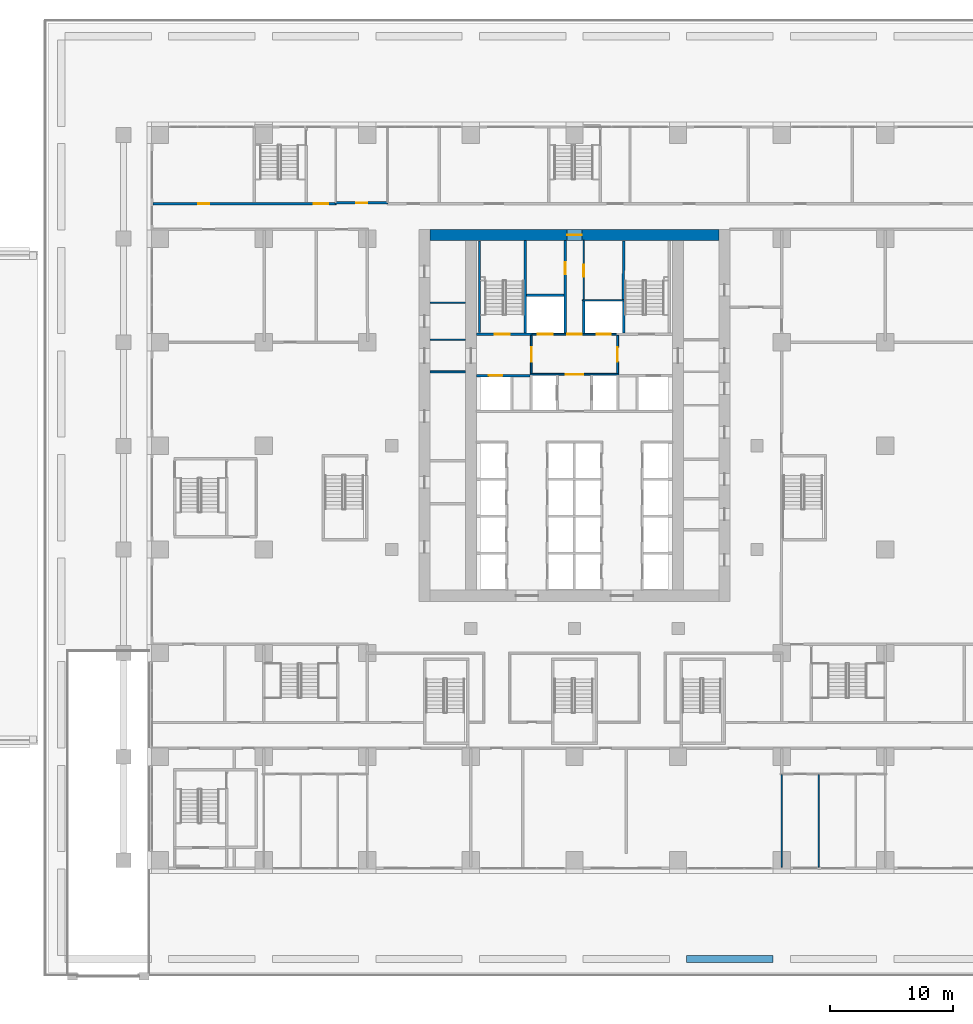
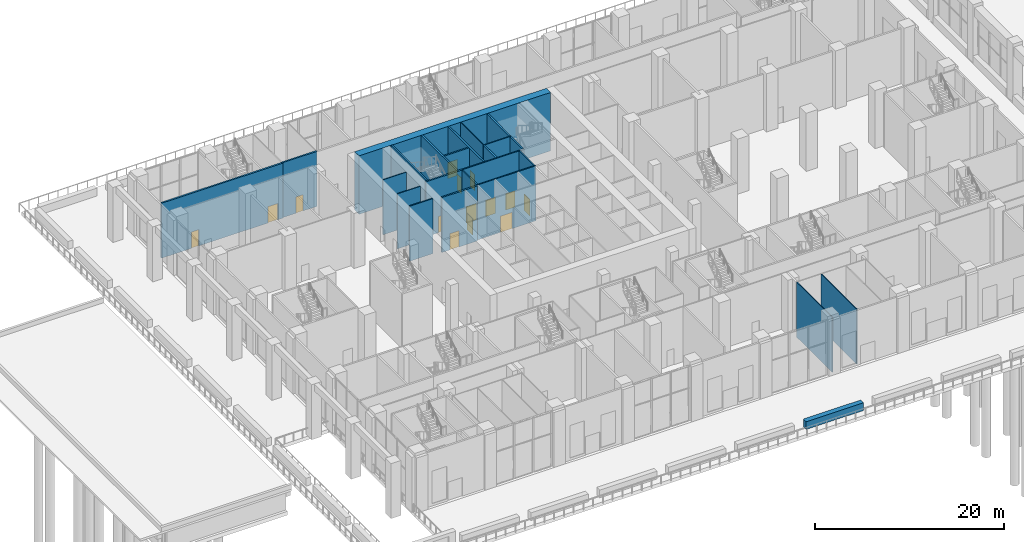
# One storey, part 25 of 53: 24 walls, 14 doors, 14 openings.
"""IFC4 building model written with IfcOpenShell, lengths in metres."""

from ifc_helpers import new_model, si_unit, direction, frame, frame_2d, origin, place, context, subcontext, project, spatial, rectangle, extrude, material, layer, layer_set, type_object, element, fill, save


model = new_model("IFC4")

# Units and contexts
model_context = context("Model", 3, precision=1e-05, world=origin(), true_north=direction((0.0, 1.0)))
body_context = subcontext(model_context, "Body", "Model", "MODEL_VIEW")
ifc_project = project(units=[si_unit("LENGTHUNIT", "METRE"), si_unit("AREAUNIT", "SQUARE_METRE"), si_unit("VOLUMEUNIT", "CUBIC_METRE"), si_unit("PLANEANGLEUNIT", "RADIAN"), si_unit("MASSUNIT", "GRAM", prefix="KILO")], contexts=[model_context])

# Site, building, storey
site_placement = place(None, origin())
site = spatial("IfcSite", under=ifc_project, at=site_placement, CompositionType="ELEMENT")
building_placement = place(site_placement, origin())
building = spatial("IfcBuilding", under=site, at=building_placement, Name="Vermilion Ogive Tower", CompositionType="ELEMENT")
storey_placement = place(building_placement, origin())
storey = spatial("IfcBuildingStorey", under=building, at=storey_placement, Name="L00", CompositionType="ELEMENT", Elevation=0.0)

# Walls
ifc_material_1 = material(Name="Gypsum board partition on steel studs", Category="steel")
ifc_layer_1 = layer(ifc_material_1, 0.10009765625)
ifc_layer_set_1 = layer_set([ifc_layer_1], Name="Partition 100 bath")
wall_type_1 = type_object("IfcWallType", Name="Partition 100 bath", PredefinedType="PARTITIONING", material=ifc_layer_set_1)
for number, where, z_axis, x_axis, name in (
    (1, (16.800048828125, -29.949951171875, 0.0), (0.0, 0.0, 1.0), (0.0, 1.0, 0.0), "L00-FS-W-W088"),
    (2, (19.800048828125, -29.949951171875, 0.0), (0.0, 0.0, 1.0), (0.0, 1.0, 0.0), "L00-FS-W-W094"),
):
    element("IfcWall", number, at=place(storey_placement, frame(where, z_axis=z_axis, x_axis=x_axis)), inside=storey, type_object=wall_type_1, Name=name, PredefinedType="PARTITIONING", context=body_context, shape_type="SweptSolid", body=[
        extrude(rectangle(XDim=7.5, YDim=0.10009765625, at=frame_2d((3.75, 0.0))), origin(), (0.0, 0.0, 1.0), 7.10009765625),
    ])
wall_1_placement = place(storey_placement, frame((0.64990234375, 16.0, 0.0), z_axis=(0.0, 0.0, 1.0), x_axis=(1.0, 0.0, 0.0)))
element("IfcWall", 3, at=wall_1_placement, inside=storey, type_object=wall_type_1, Name="L00-CK-W-W020", PredefinedType="PARTITIONING", context=body_context, shape_type="SweptSolid", body=[
    extrude(rectangle(XDim=3.4501953125, YDim=0.10009765625, at=frame_2d((1.72509765625, 0.0))), origin(), (0.0, 0.0, 1.0), 7.10009765625),
])

# Wall, opening, door
wall_2_placement = place(storey_placement, frame((0.75, 16.050048828125, 0.0), z_axis=(0.0, 0.0, 1.0), x_axis=(0.0, 1.0, 0.0)))
wall_2 = element("IfcWall", 4, at=wall_2_placement, inside=storey, type_object=wall_type_1, Name="L00-CK-W-W032", PredefinedType="PARTITIONING", context=body_context, shape_type="SweptSolid", body=[
    extrude(rectangle(XDim=4.799072265625, YDim=0.10009765625, at=frame_2d((2.3994140625, 0.0))), origin(), (0.0, 0.0, 1.0), 7.10009765625),
])
opening_1_placement = place(wall_2_placement, frame((1.875, 0.0, 0.0)))
opening_1 = element("IfcOpeningElement", 5, at=opening_1_placement, cuts=wall_2, Name="Opening DAB007", PredefinedType="OPENING", context=body_context, shape_type="SweptSolid", body=[
    extrude(rectangle(XDim=0.949951171875, YDim=2.10009765625, at=frame_2d((0.47509765625, 1.050048828125))), frame((0.0, 0.06005859375, 0.0), z_axis=(0.0, -1.0, 0.0), x_axis=(1.0, 0.0, 0.0)), (0.0, 0.0, 1.0), 0.1201171875),
])
ifc_material_2 = material(Name="Timber door leaf", Category="wood")
door_type_1 = type_object("IfcDoorType", Name="Service door 950 x 2100 FD60", OperationType="SINGLE_SWING_LEFT", PredefinedType="DOOR", material=ifc_material_2)
door_1_placement = place(opening_1_placement, origin())
door_1 = element("IfcDoor", 6, at=door_1_placement, inside=storey, type_object=door_type_1, Name="L00-CK-D-D029", OperationType="SINGLE_SWING_LEFT", OverallHeight=2.10009765625, OverallWidth=0.949951171875, PredefinedType="DOOR", context=body_context, shape_type="SweptSolid", body=[
    extrude(rectangle(XDim=0.949951171875, YDim=2.10009765625, at=frame_2d((0.47509765625, 1.050048828125))), frame((0.0, 0.02490234375, 0.0), z_axis=(0.0, -1.0, 0.0), x_axis=(1.0, 0.0, 0.0)), (0.0, 0.0, 1.0), 0.050048828125),
])
fill(opening_1, door_1)

# Walls
for number, where, z_axis, x_axis, name in (
    (7, (-11.698974609375, 12.800048828125, 0.0), (0.0, 0.0, 1.0), (1.0, 0.0, 0.0), "L00-CKW-W-W004"),
    (8, (-11.698974609375, 15.800048828125, 0.0), (0.0, 0.0, 1.0), (1.0, 0.0, 0.0), "L00-CKW-W-W005"),
):
    element("IfcWall", number, at=place(storey_placement, frame(where, z_axis=z_axis, x_axis=x_axis)), inside=storey, type_object=wall_type_1, Name=name, PredefinedType="PARTITIONING", context=body_context, shape_type="SweptSolid", body=[
        extrude(rectangle(XDim=2.847900390625, YDim=0.10009765625, at=frame_2d((1.423828125, 0.0))), origin(), (0.0, 0.0, 1.0), 7.10009765625),
    ])

# Wall, opening, door
ifc_material_3 = material(Name="Gypsum board partition on steel studs", Category="steel")
ifc_layer_2 = layer(ifc_material_3, 0.14990234375)
ifc_layer_set_2 = layer_set([ifc_layer_2], Name="Partition 150 corridor")
wall_type_2 = type_object("IfcWallType", Name="Partition 150 corridor", PredefinedType="PARTITIONING", material=ifc_layer_set_2)
wall_3_placement = place(storey_placement, frame((-3.60009765625, 10.0, 0.0), z_axis=(0.0, 0.0, 1.0), x_axis=(1.0, 0.0, 0.0)))
wall_3 = element("IfcWall", 9, at=wall_3_placement, inside=storey, type_object=wall_type_2, Name="L00-CK-W-W016", PredefinedType="PARTITIONING", context=body_context, shape_type="SweptSolid", body=[
    extrude(rectangle(XDim=7.2001953125, YDim=0.14990234375, at=frame_2d((3.60009765625, 0.0))), origin(), (0.0, 0.0, 1.0), 7.10009765625),
])
opening_2_placement = place(wall_3_placement, frame((2.900146484375, 0.0, 0.0)))
opening_2 = element("IfcOpeningElement", 10, at=opening_2_placement, cuts=wall_3, Name="Opening DAB004", PredefinedType="OPENING", context=body_context, shape_type="SweptSolid", body=[
    extrude(rectangle(XDim=1.39990234375, YDim=2.10009765625, at=frame_2d((0.699951171875, 1.050048828125))), frame((0.0, 0.0849609375, 0.0), z_axis=(0.0, -1.0, 0.0), x_axis=(1.0, 0.0, 0.0)), (0.0, 0.0, 1.0), 0.169921875),
])
ifc_material_4 = material(Name="Timber door leaf", Category="wood")
door_type_2 = type_object("IfcDoorType", Name="Lobby door 1400 x 2100 FD60S", OperationType="SINGLE_SWING_LEFT", PredefinedType="DOOR", material=ifc_material_4)
door_2_placement = place(opening_2_placement, origin())
door_2 = element("IfcDoor", 11, at=door_2_placement, inside=storey, type_object=door_type_2, Name="L00-CK-D-D022", OperationType="SINGLE_SWING_RIGHT", OverallHeight=2.10009765625, OverallWidth=1.39990234375, PredefinedType="DOOR", context=body_context, shape_type="SweptSolid", body=[
    extrude(rectangle(XDim=1.39990234375, YDim=2.10009765625, at=frame_2d((0.699951171875, 1.050048828125))), frame((0.0, 0.02490234375, 0.0), z_axis=(0.0, -1.0, 0.0), x_axis=(1.0, 0.0, 0.0)), (0.0, 0.0, 1.0), 0.050048828125),
])
fill(opening_2, door_2)

# Wall, openings, doors
wall_4_placement = place(storey_placement, frame((-3.574951171875, 13.25, 0.0), z_axis=(0.0, 0.0, 1.0), x_axis=(1.0, 0.0, 0.0)))
wall_4 = element("IfcWall", 12, at=wall_4_placement, inside=storey, type_object=wall_type_2, Name="L00-CK-W-W018", PredefinedType="PARTITIONING", context=body_context, shape_type="SweptSolid", body=[
    extrude(rectangle(XDim=7.14990234375, YDim=0.14990234375, at=frame_2d((3.574951171875, 0.0))), origin(), (0.0, 0.0, 1.0), 7.10009765625),
])
opening_3_placement = place(wall_4_placement, frame((0.599853515625, 0.0, 0.0)))
opening_3 = element("IfcOpeningElement", 13, at=opening_3_placement, cuts=wall_4, Name="Opening DAB031", PredefinedType="OPENING", context=body_context, shape_type="SweptSolid", body=[
    extrude(rectangle(XDim=1.199951171875, YDim=2.10009765625, at=frame_2d((0.60009765625, 1.050048828125))), frame((0.0, 0.0849609375, 0.0), z_axis=(0.0, -1.0, 0.0), x_axis=(1.0, 0.0, 0.0)), (0.0, 0.0, 1.0), 0.169921875),
])
opening_4_placement = place(wall_4_placement, frame((5.39990234375, 0.0, 0.0)))
opening_4 = element("IfcOpeningElement", 14, at=opening_4_placement, cuts=wall_4, Name="Opening DAB023", PredefinedType="OPENING", context=body_context, shape_type="SweptSolid", body=[
    extrude(rectangle(XDim=1.10009765625, YDim=2.10009765625, at=frame_2d((0.550048828125, 1.050048828125))), frame((0.0, 0.0849609375, 0.0), z_axis=(0.0, -1.0, 0.0), x_axis=(1.0, 0.0, 0.0)), (0.0, 0.0, 1.0), 0.169921875),
])
opening_5_placement = place(wall_4_placement, frame((2.974853515625, 0.0, 0.0)))
opening_5 = element("IfcOpeningElement", 15, at=opening_5_placement, cuts=wall_4, Name="Opening DAB005", PredefinedType="OPENING", context=body_context, shape_type="SweptSolid", body=[
    extrude(rectangle(XDim=1.199951171875, YDim=2.10009765625, at=frame_2d((0.60009765625, 1.050048828125))), frame((0.0, 0.0849609375, 0.0), z_axis=(0.0, -1.0, 0.0), x_axis=(1.0, 0.0, 0.0)), (0.0, 0.0, 1.0), 0.169921875),
])
ifc_material_5 = material(Name="Stainless steel", Category="steel")
door_type_3 = type_object("IfcDoorType", Name="Lift landing door 1100 x 2100", OperationType="SLIDING_TO_LEFT", PredefinedType="DOOR", material=ifc_material_5)
door_3_placement = place(opening_4_placement, origin())
door_3 = element("IfcDoor", 16, at=door_3_placement, inside=storey, type_object=door_type_3, Name="L00-CK-D-D026", OperationType="SLIDING_TO_LEFT", OverallHeight=2.10009765625, OverallWidth=1.10009765625, PredefinedType="DOOR", context=body_context, shape_type="SweptSolid", body=[
    extrude(rectangle(XDim=1.10009765625, YDim=2.10009765625, at=frame_2d((0.550048828125, 1.050048828125))), frame((0.0, 0.02490234375, 0.0), z_axis=(0.0, -1.0, 0.0), x_axis=(1.0, 0.0, 0.0)), (0.0, 0.0, 1.0), 0.050048828125),
])
fill(opening_4, door_3)
ifc_material_6 = material(Name="Stainless steel", Category="steel")
door_type_4 = type_object("IfcDoorType", Name="Lift landing door 1200 x 2100", OperationType="SLIDING_TO_LEFT", PredefinedType="DOOR", material=ifc_material_6)
door_4_placement = place(opening_3_placement, origin())
door_4 = element("IfcDoor", 17, at=door_4_placement, inside=storey, type_object=door_type_4, Name="L00-CK-D-D025", OperationType="SLIDING_TO_RIGHT", OverallHeight=2.10009765625, OverallWidth=1.199951171875, PredefinedType="DOOR", context=body_context, shape_type="SweptSolid", body=[
    extrude(rectangle(XDim=1.199951171875, YDim=2.10009765625, at=frame_2d((0.60009765625, 1.050048828125))), frame((0.0, 0.02490234375, 0.0), z_axis=(0.0, -1.0, 0.0), x_axis=(1.0, 0.0, 0.0)), (0.0, 0.0, 1.0), 0.050048828125),
])
fill(opening_3, door_4)
ifc_material_7 = material(Name="Timber door leaf", Category="wood")
door_type_5 = type_object("IfcDoorType", Name="Service door 1200 x 2100 FD60", OperationType="SINGLE_SWING_LEFT", PredefinedType="DOOR", material=ifc_material_7)
door_5_placement = place(opening_5_placement, origin())
door_5 = element("IfcDoor", 18, at=door_5_placement, inside=storey, type_object=door_type_5, Name="L00-CK-D-D027", OperationType="SINGLE_SWING_RIGHT", OverallHeight=2.10009765625, OverallWidth=1.199951171875, PredefinedType="DOOR", context=body_context, shape_type="SweptSolid", body=[
    extrude(rectangle(XDim=1.199951171875, YDim=2.10009765625, at=frame_2d((0.60009765625, 1.050048828125))), frame((0.0, 0.02490234375, 0.0), z_axis=(0.0, -1.0, 0.0), x_axis=(1.0, 0.0, 0.0)), (0.0, 0.0, 1.0), 0.050048828125),
])
fill(opening_5, door_5)

# Wall, opening, door
wall_5_placement = place(storey_placement, frame((-3.5, 10.074951171875, 0.0), z_axis=(0.0, 0.0, 1.0), x_axis=(0.0, 1.0, 0.0)))
wall_5 = element("IfcWall", 19, at=wall_5_placement, inside=storey, type_object=wall_type_2, Name="L00-CK-W-W026", PredefinedType="PARTITIONING", context=body_context, shape_type="SweptSolid", body=[
    extrude(rectangle(XDim=3.074951171875, YDim=0.14990234375, at=frame_2d((1.53759765625, 0.0))), origin(), (0.0, 0.0, 1.0), 7.10009765625),
])
opening_6_placement = place(wall_5_placement, frame((0.925048828125, 0.0, 0.0)))
opening_6 = element("IfcOpeningElement", 20, at=opening_6_placement, cuts=wall_5, Name="Opening DAB001", PredefinedType="OPENING", context=body_context, shape_type="SweptSolid", body=[
    extrude(rectangle(XDim=1.199951171875, YDim=2.10009765625, at=frame_2d((0.60009765625, 1.050048828125))), frame((0.0, 0.0849609375, 0.0), z_axis=(0.0, -1.0, 0.0), x_axis=(1.0, 0.0, 0.0)), (0.0, 0.0, 1.0), 0.169921875),
])
ifc_material_8 = material(Name="Timber door leaf", Category="wood")
door_type_6 = type_object("IfcDoorType", Name="Lobby door 1200 x 2100 FD60S", OperationType="SINGLE_SWING_LEFT", PredefinedType="DOOR", material=ifc_material_8)
door_6_placement = place(opening_6_placement, origin())
door_6 = element("IfcDoor", 21, at=door_6_placement, inside=storey, type_object=door_type_6, Name="L00-CK-D-D030", OperationType="SINGLE_SWING_RIGHT", OverallHeight=2.10009765625, OverallWidth=1.199951171875, PredefinedType="DOOR", context=body_context, shape_type="SweptSolid", body=[
    extrude(rectangle(XDim=1.199951171875, YDim=2.10009765625, at=frame_2d((0.60009765625, 1.050048828125))), frame((0.0, 0.02490234375, 0.0), z_axis=(0.0, -1.0, 0.0), x_axis=(1.0, 0.0, 0.0)), (0.0, 0.0, 1.0), 0.050048828125),
])
fill(opening_6, door_6)

wall_6_placement = place(storey_placement, frame((3.5, 10.074951171875, 0.0), z_axis=(0.0, 0.0, 1.0), x_axis=(0.0, 1.0, 0.0)))
wall_6 = element("IfcWall", 22, at=wall_6_placement, inside=storey, type_object=wall_type_2, Name="L00-CK-W-W036", PredefinedType="PARTITIONING", context=body_context, shape_type="SweptSolid", body=[
    extrude(rectangle(XDim=3.074951171875, YDim=0.14990234375, at=frame_2d((1.53759765625, 0.0))), origin(), (0.0, 0.0, 1.0), 7.10009765625),
])
opening_7_placement = place(wall_6_placement, frame((0.925048828125, 0.0, 0.0)))
opening_7 = element("IfcOpeningElement", 23, at=opening_7_placement, cuts=wall_6, Name="Opening DAB002", PredefinedType="OPENING", context=body_context, shape_type="SweptSolid", body=[
    extrude(rectangle(XDim=1.199951171875, YDim=2.10009765625, at=frame_2d((0.60009765625, 1.050048828125))), frame((0.0, 0.0849609375, 0.0), z_axis=(0.0, -1.0, 0.0), x_axis=(1.0, 0.0, 0.0)), (0.0, 0.0, 1.0), 0.169921875),
])
door_7_placement = place(opening_7_placement, origin())
door_7 = element("IfcDoor", 24, at=door_7_placement, inside=storey, type_object=door_type_6, Name="L00-CK-D-D031", OperationType="SINGLE_SWING_LEFT", OverallHeight=2.10009765625, OverallWidth=1.199951171875, PredefinedType="DOOR", context=body_context, shape_type="SweptSolid", body=[
    extrude(rectangle(XDim=1.199951171875, YDim=2.10009765625, at=frame_2d((0.60009765625, 1.050048828125))), frame((0.0, 0.02490234375, 0.0), z_axis=(0.0, -1.0, 0.0), x_axis=(1.0, 0.0, 0.0)), (0.0, 0.0, 1.0), 0.050048828125),
])
fill(opening_7, door_7)

# Wall
wall_7_placement = place(storey_placement, frame((-11.698974609375, 10.199951171875, 0.0), z_axis=(0.0, 0.0, 1.0), x_axis=(1.0, 0.0, 0.0)))
element("IfcWall", 25, at=wall_7_placement, inside=storey, type_object=wall_type_2, Name="L00-CKW-W-W003", PredefinedType="PARTITIONING", context=body_context, shape_type="SweptSolid", body=[
    extrude(rectangle(XDim=2.847900390625, YDim=0.14990234375, at=frame_2d((1.423828125, 0.0))), origin(), (0.0, 0.0, 1.0), 7.10009765625),
])

# Wall, opening, door
ifc_material_9 = material(Name="Gypsum board partition on steel studs", Category="steel")
ifc_layer_3 = layer(ifc_material_9, 0.199951171875)
ifc_layer_set_3 = layer_set([ifc_layer_3], Name="Partition 200 party")
wall_type_3 = type_object("IfcWallType", Name="Partition 200 party", PredefinedType="PARTITIONING", material=ifc_layer_set_3)
wall_8_placement = place(storey_placement, frame((-7.948974609375, 9.89990234375, 0.0), z_axis=(0.0, 0.0, 1.0), x_axis=(1.0, 0.0, 0.0)))
wall_8 = element("IfcWall", 26, at=wall_8_placement, inside=storey, type_object=wall_type_3, Name="L00-CK-W-W014", PredefinedType="PARTITIONING", context=body_context, shape_type="SweptSolid", body=[
    extrude(rectangle(XDim=4.348876953125, YDim=0.199951171875, at=frame_2d((2.17431640625, 0.0))), origin(), (0.0, 0.0, 1.0), 7.10009765625),
])
opening_8_placement = place(wall_8_placement, frame((0.9990234375, 0.0, 0.0)))
opening_8 = element("IfcOpeningElement", 27, at=opening_8_placement, cuts=wall_8, Name="Opening DAB018", PredefinedType="OPENING", context=body_context, shape_type="SweptSolid", body=[
    extrude(rectangle(XDim=1.10009765625, YDim=2.10009765625, at=frame_2d((0.550048828125, 1.050048828125))), frame((0.0, 0.10986328125, 0.0), z_axis=(0.0, -1.0, 0.0), x_axis=(1.0, 0.0, 0.0)), (0.0, 0.0, 1.0), 0.219970703125),
])
door_8_placement = place(opening_8_placement, origin())
door_8 = element("IfcDoor", 28, at=door_8_placement, inside=storey, type_object=door_type_3, Name="L00-CK-D-D018", OperationType="SLIDING_TO_RIGHT", OverallHeight=2.10009765625, OverallWidth=1.10009765625, PredefinedType="DOOR", context=body_context, shape_type="SweptSolid", body=[
    extrude(rectangle(XDim=1.10009765625, YDim=2.10009765625, at=frame_2d((0.550048828125, 1.050048828125))), frame((0.0, 0.02490234375, 0.0), z_axis=(0.0, -1.0, 0.0), x_axis=(1.0, 0.0, 0.0)), (0.0, 0.0, 1.0), 0.050048828125),
])
fill(opening_8, door_8)

# Wall
wall_9_placement = place(storey_placement, frame((-3.89990234375, 16.39990234375, 0.0), z_axis=(0.0, 0.0, 1.0), x_axis=(1.0, 0.0, 0.0)))
element("IfcWall", 29, at=wall_9_placement, inside=storey, type_object=wall_type_3, Name="L00-CK-W-W021", PredefinedType="PARTITIONING", context=body_context, shape_type="SweptSolid", body=[
    extrude(rectangle(XDim=3.0498046875, YDim=0.199951171875, at=frame_2d((1.52490234375, 0.0))), origin(), (0.0, 0.0, 1.0), 7.10009765625),
])

# Wall, opening, door
wall_10_placement = place(storey_placement, frame((-0.75, 13.324951171875, 0.0), z_axis=(0.0, 0.0, 1.0), x_axis=(0.0, 1.0, 0.0)))
wall_10 = element("IfcWall", 30, at=wall_10_placement, inside=storey, type_object=wall_type_3, Name="L00-CK-W-W029", PredefinedType="PARTITIONING", context=body_context, shape_type="SweptSolid", body=[
    extrude(rectangle(XDim=7.524169921875, YDim=0.199951171875, at=frame_2d((3.76220703125, 0.0))), origin(), (0.0, 0.0, 1.0), 7.10009765625),
])
opening_9_placement = place(wall_10_placement, frame((4.800048828125, 0.0, 0.0)))
opening_9 = element("IfcOpeningElement", 31, at=opening_9_placement, cuts=wall_10, Name="Opening DAB006", PredefinedType="OPENING", context=body_context, shape_type="SweptSolid", body=[
    extrude(rectangle(XDim=0.949951171875, YDim=2.10009765625, at=frame_2d((0.47509765625, 1.050048828125))), frame((0.0, 0.10986328125, 0.0), z_axis=(0.0, -1.0, 0.0), x_axis=(1.0, 0.0, 0.0)), (0.0, 0.0, 1.0), 0.219970703125),
])
door_9_placement = place(opening_9_placement, origin())
door_9 = element("IfcDoor", 32, at=door_9_placement, inside=storey, type_object=door_type_1, Name="L00-CK-D-D028", OperationType="SINGLE_SWING_RIGHT", OverallHeight=2.10009765625, OverallWidth=0.949951171875, PredefinedType="DOOR", context=body_context, shape_type="SweptSolid", body=[
    extrude(rectangle(XDim=0.949951171875, YDim=2.10009765625, at=frame_2d((0.47509765625, 1.050048828125))), frame((0.0, 0.02490234375, 0.0), z_axis=(0.0, -1.0, 0.0), x_axis=(1.0, 0.0, 0.0)), (0.0, 0.0, 1.0), 0.050048828125),
])
fill(opening_9, door_9)

# Wall
wall_11_placement = place(storey_placement, frame((0.75, 13.324951171875, 0.0), z_axis=(0.0, 0.0, 1.0), x_axis=(0.0, 1.0, 0.0)))
element("IfcWall", 33, at=wall_11_placement, inside=storey, type_object=wall_type_3, Name="L00-CK-W-W031", PredefinedType="PARTITIONING", context=body_context, shape_type="SweptSolid", body=[
    extrude(rectangle(XDim=2.625, YDim=0.199951171875, at=frame_2d((1.3125, 0.0))), origin(), (0.0, 0.0, 1.0), 7.10009765625),
])

# Wall, opening, door
ifc_material_10 = material(Name="Concrete B60", Category="concrete")
ifc_layer_4 = layer(ifc_material_10, 0.199951171875)
ifc_layer_set_4 = layer_set([ifc_layer_4], Name="Stair shaft wall 200 Concrete B60")
wall_type_4 = type_object("IfcWallType", Name="Stair shaft wall 200 Concrete B60", PredefinedType="SOLIDWALL", material=ifc_layer_set_4)
wall_12_placement = place(storey_placement, frame((-11.699951171875, 21.300048828125, -0.449951171875), z_axis=(0.0, 0.0, 1.0), x_axis=(1.0, 0.0, 0.0)))
wall_12 = element("IfcWall", 34, at=wall_12_placement, inside=storey, type_object=wall_type_4, Name="L00-CORE-N", PredefinedType="SOLIDWALL", context=body_context, shape_type="SweptSolid", body=[
    extrude(rectangle(XDim=23.39990234375, YDim=0.89990234375, at=frame_2d((11.699951171875, 0.0))), origin(), (0.0, 0.0, 1.0), 7.550048828125),
])
opening_10_placement = place(wall_12_placement, frame((11.10009765625, 0.0, 0.449951171875)))
opening_10 = element("IfcOpeningElement", 35, at=opening_10_placement, cuts=wall_12, Name="Opening DBY001", PredefinedType="OPENING", context=body_context, shape_type="SweptSolid", body=[
    extrude(rectangle(XDim=1.199951171875, YDim=2.10009765625, at=frame_2d((0.60009765625, 1.050048828125))), frame((0.0, 0.4599609375, 0.0), z_axis=(0.0, -1.0, 0.0), x_axis=(1.0, 0.0, 0.0)), (0.0, 0.0, 1.0), 0.919921875),
])
ifc_material_11 = material(Name="Timber door leaf", Category="wood")
door_type_7 = type_object("IfcDoorType", Name="Stair door 1200 x 2100 FD60S", OperationType="SINGLE_SWING_LEFT", PredefinedType="DOOR", material=ifc_material_11)
door_10_placement = place(opening_10_placement, origin())
door_10 = element("IfcDoor", 36, at=door_10_placement, inside=storey, type_object=door_type_7, Name="Exit passage door ST1 and ST2", OperationType="SINGLE_SWING_LEFT", OverallHeight=2.10009765625, OverallWidth=1.199951171875, PredefinedType="DOOR", context=body_context, shape_type="SweptSolid", body=[
    extrude(rectangle(XDim=1.199951171875, YDim=2.10009765625, at=frame_2d((0.60009765625, 1.050048828125))), frame((0.0, 0.02490234375, 0.0), z_axis=(0.0, -1.0, 0.0), x_axis=(1.0, 0.0, 0.0)), (0.0, 0.0, 1.0), 0.050048828125),
])
fill(opening_10, door_10)

# Wall, openings, doors
wall_13_placement = place(storey_placement, frame((-34.14990234375, 23.8251953125, 0.0), z_axis=(0.0, 0.0, 1.0), x_axis=(1.0, 0.0, 0.0)))
wall_13 = element("IfcWall", 37, at=wall_13_placement, inside=storey, type_object=wall_type_4, Name="L00-FS-W-W043", PredefinedType="SOLIDWALL", context=body_context, shape_type="SweptSolid", body=[
    extrude(rectangle(XDim=14.849853515625, YDim=0.199951171875, at=frame_2d((7.4248046875, 0.0))), origin(), (0.0, 0.0, 1.0), 7.10009765625),
])
opening_11_placement = place(wall_13_placement, frame((13.0, 0.0, 0.0)))
opening_11 = element("IfcOpeningElement", 38, at=opening_11_placement, cuts=wall_13, Name="Opening L00S017", PredefinedType="OPENING", context=body_context, shape_type="SweptSolid", body=[
    extrude(rectangle(XDim=1.199951171875, YDim=2.10009765625, at=frame_2d((0.60009765625, 1.050048828125))), frame((0.0, 0.10986328125, 0.0), z_axis=(0.0, -1.0, 0.0), x_axis=(1.0, 0.0, 0.0)), (0.0, 0.0, 1.0), 0.219970703125),
])
opening_12_placement = place(wall_13_placement, frame((3.64990234375, 0.0, 0.0)))
opening_12 = element("IfcOpeningElement", 39, at=opening_12_placement, cuts=wall_13, Name="Opening L00S057", PredefinedType="OPENING", context=body_context, shape_type="SweptSolid", body=[
    extrude(rectangle(XDim=0.89990234375, YDim=2.10009765625, at=frame_2d((0.449951171875, 1.050048828125))), frame((0.0, 0.10986328125, 0.0), z_axis=(0.0, -1.0, 0.0), x_axis=(1.0, 0.0, 0.0)), (0.0, 0.0, 1.0), 0.219970703125),
])
ifc_material_12 = material(Name="Timber door leaf", Category="wood")
door_type_8 = type_object("IfcDoorType", Name="Room door 900 x 2100 FD30", OperationType="SINGLE_SWING_LEFT", PredefinedType="DOOR", material=ifc_material_12)
door_11_placement = place(opening_12_placement, origin())
door_11 = element("IfcDoor", 40, at=door_11_placement, inside=storey, type_object=door_type_8, Name="L00-FS-D-D057", OperationType="SINGLE_SWING_LEFT", OverallHeight=2.10009765625, OverallWidth=0.89990234375, PredefinedType="DOOR", context=body_context, shape_type="SweptSolid", body=[
    extrude(rectangle(XDim=0.89990234375, YDim=2.10009765625, at=frame_2d((0.449951171875, 1.050048828125))), frame((0.0, 0.02490234375, 0.0), z_axis=(0.0, -1.0, 0.0), x_axis=(1.0, 0.0, 0.0)), (0.0, 0.0, 1.0), 0.050048828125),
])
fill(opening_12, door_11)
door_12_placement = place(opening_11_placement, origin())
door_12 = element("IfcDoor", 41, at=door_12_placement, inside=storey, type_object=door_type_7, Name="L00-FS-D-D017", OperationType="SINGLE_SWING_RIGHT", OverallHeight=2.10009765625, OverallWidth=1.199951171875, PredefinedType="DOOR", context=body_context, shape_type="SweptSolid", body=[
    extrude(rectangle(XDim=1.199951171875, YDim=2.10009765625, at=frame_2d((0.60009765625, 1.050048828125))), frame((0.0, 0.02490234375, 0.0), z_axis=(0.0, -1.0, 0.0), x_axis=(1.0, 0.0, 0.0)), (0.0, 0.0, 1.0), 0.050048828125),
])
fill(opening_11, door_12)

# Wall, opening, door
wall_14_placement = place(storey_placement, frame((-19.39990234375, 23.900146484375, 0.0), z_axis=(0.0, 0.0, 1.0), x_axis=(1.0, 0.0, 0.0)))
wall_14 = element("IfcWall", 42, at=wall_14_placement, inside=storey, type_object=wall_type_4, Name="L00-FS-W-W044", PredefinedType="SOLIDWALL", context=body_context, shape_type="SweptSolid", body=[
    extrude(rectangle(XDim=4.2998046875, YDim=0.199951171875, at=frame_2d((2.14990234375, 0.0))), origin(), (0.0, 0.0, 1.0), 7.10009765625),
])
opening_13_placement = place(wall_14_placement, frame((1.699951171875, 0.0, 0.0)))
opening_13 = element("IfcOpeningElement", 43, at=opening_13_placement, cuts=wall_14, Name="Opening L00S058", PredefinedType="OPENING", context=body_context, shape_type="SweptSolid", body=[
    extrude(rectangle(XDim=0.89990234375, YDim=2.10009765625, at=frame_2d((0.449951171875, 1.050048828125))), frame((0.0, 0.10986328125, 0.0), z_axis=(0.0, -1.0, 0.0), x_axis=(1.0, 0.0, 0.0)), (0.0, 0.0, 1.0), 0.219970703125),
])
door_13_placement = place(opening_13_placement, origin())
door_13 = element("IfcDoor", 44, at=door_13_placement, inside=storey, type_object=door_type_8, Name="L00-FS-D-D058", OperationType="SINGLE_SWING_RIGHT", OverallHeight=2.10009765625, OverallWidth=0.89990234375, PredefinedType="DOOR", context=body_context, shape_type="SweptSolid", body=[
    extrude(rectangle(XDim=0.89990234375, YDim=2.10009765625, at=frame_2d((0.449951171875, 1.050048828125))), frame((0.0, 0.02490234375, 0.0), z_axis=(0.0, -1.0, 0.0), x_axis=(1.0, 0.0, 0.0)), (0.0, 0.0, 1.0), 0.050048828125),
])
fill(opening_13, door_13)

wall_15_placement = place(storey_placement, frame((-7.948974609375, 13.25, 0.0), z_axis=(0.0, 0.0, 1.0), x_axis=(1.0, 0.0, 0.0)))
wall_15 = element("IfcWall", 45, at=wall_15_placement, inside=storey, type_object=wall_type_4, Name="L00-CK-W-W017", PredefinedType="SOLIDWALL", context=body_context, shape_type="SweptSolid", body=[
    extrude(rectangle(XDim=4.52392578125, YDim=0.199951171875, at=frame_2d((2.261962890625, 0.0))), origin(), (0.0, 0.0, 1.0), 7.10009765625),
])
opening_14_placement = place(wall_15_placement, frame((1.4990234375, 0.0, 0.0)))
opening_14 = element("IfcOpeningElement", 46, at=opening_14_placement, cuts=wall_15, Name="Opening DAB008", PredefinedType="OPENING", context=body_context, shape_type="SweptSolid", body=[
    extrude(rectangle(XDim=1.199951171875, YDim=2.10009765625, at=frame_2d((0.60009765625, 1.050048828125))), frame((0.0, 0.10986328125, 0.0), z_axis=(0.0, -1.0, 0.0), x_axis=(1.0, 0.0, 0.0)), (0.0, 0.0, 1.0), 0.219970703125),
])
door_14_placement = place(opening_14_placement, origin())
door_14 = element("IfcDoor", 47, at=door_14_placement, inside=storey, type_object=door_type_7, Name="L00-CK-D-D017", OperationType="SINGLE_SWING_LEFT", OverallHeight=2.10009765625, OverallWidth=1.199951171875, PredefinedType="DOOR", context=body_context, shape_type="SweptSolid", body=[
    extrude(rectangle(XDim=1.199951171875, YDim=2.10009765625, at=frame_2d((0.60009765625, 1.050048828125))), frame((0.0, 0.02490234375, 0.0), z_axis=(0.0, -1.0, 0.0), x_axis=(1.0, 0.0, 0.0)), (0.0, 0.0, 1.0), 0.050048828125),
])
fill(opening_14, door_14)

# Walls
wall_16_placement = place(storey_placement, frame((-4.0, 13.35009765625, 0.0), z_axis=(0.0, 0.0, 1.0), x_axis=(0.0, 1.0, 0.0)))
element("IfcWall", 48, at=wall_16_placement, inside=storey, type_object=wall_type_4, Name="L00-CK-W-W024", PredefinedType="SOLIDWALL", context=body_context, shape_type="SweptSolid", body=[
    extrude(rectangle(XDim=7.4990234375, YDim=0.199951171875, at=frame_2d((3.74951171875, 0.0))), origin(), (0.0, 0.0, 1.0), 7.10009765625),
])
wall_17_placement = place(storey_placement, frame((4.0, 13.35009765625, 0.0), z_axis=(0.0, 0.0, 1.0), x_axis=(0.0, 1.0, 0.0)))
element("IfcWall", 49, at=wall_17_placement, inside=storey, type_object=wall_type_4, Name="L00-CK-W-W037", PredefinedType="SOLIDWALL", context=body_context, shape_type="SweptSolid", body=[
    extrude(rectangle(XDim=2.599853515625, YDim=0.199951171875, at=frame_2d((1.2998046875, 0.0))), origin(), (0.0, 0.0, 1.0), 7.10009765625),
])
wall_18_placement = place(storey_placement, frame((3.949951171875, 16.050048828125, 0.0), z_axis=(0.0, 0.0, 1.0), x_axis=(0.010538176883, 0.999944471872, 0.0)))
element("IfcWall", 50, at=wall_18_placement, inside=storey, type_object=wall_type_4, Name="L00-CK-W-W038", PredefinedType="SOLIDWALL", context=body_context, shape_type="SweptSolid", body=[
    extrude(rectangle(XDim=4.749267578125, YDim=0.199951171875, at=frame_2d((2.37451171875, 0.0))), origin(), (0.0, 0.0, 1.0), 7.10009765625),
])
wall_19_placement = place(storey_placement, frame((-7.699951171875, 13.39990234375, 0.0), z_axis=(0.0, 0.0, 1.0), x_axis=(0.0, 1.0, 0.0)))
element("IfcWall", 51, at=wall_19_placement, inside=storey, type_object=wall_type_4, Name="L00-SW-R023-W1", PredefinedType="SOLIDWALL", context=body_context, shape_type="SweptSolid", body=[
    extrude(rectangle(XDim=7.400146484375, YDim=0.199951171875, at=frame_2d((3.7001953125, 0.0))), origin(), (0.0, 0.0, 1.0), 7.10009765625),
])
ifc_material_13 = material(Name="Concrete B40", Category="concrete")
ifc_layer_5 = layer(ifc_material_13, 0.60009765625)
ifc_layer_set_5 = layer_set([ifc_layer_5], Name="Terrace planter")
wall_type_5 = type_object("IfcWallType", Name="Terrace planter", PredefinedType="USERDEFINED", material=ifc_layer_set_5)
wall_20_placement = place(storey_placement, frame((16.10009765625, -37.39990234375, 0.0), z_axis=(0.0, 0.0, 1.0), x_axis=(-1.0, 0.0, 0.0)))
element("IfcWall", 52, at=wall_20_placement, inside=storey, type_object=wall_type_5, Name="Terrace planter 1.1.27", ObjectType="PLANTER", PredefinedType="USERDEFINED", context=body_context, shape_type="SweptSolid", body=[
    extrude(rectangle(XDim=7.0, YDim=0.60009765625, at=frame_2d((3.5, 0.0))), origin(), (0.0, 0.0, 1.0), 1.0),
])

save(model, "model.ifc")
